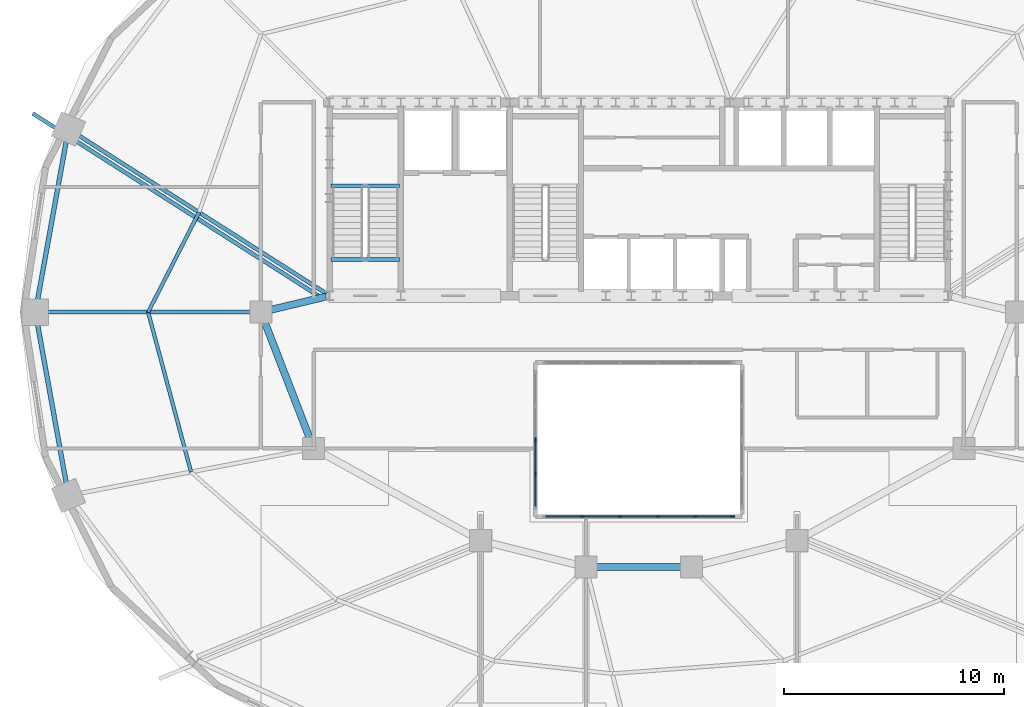
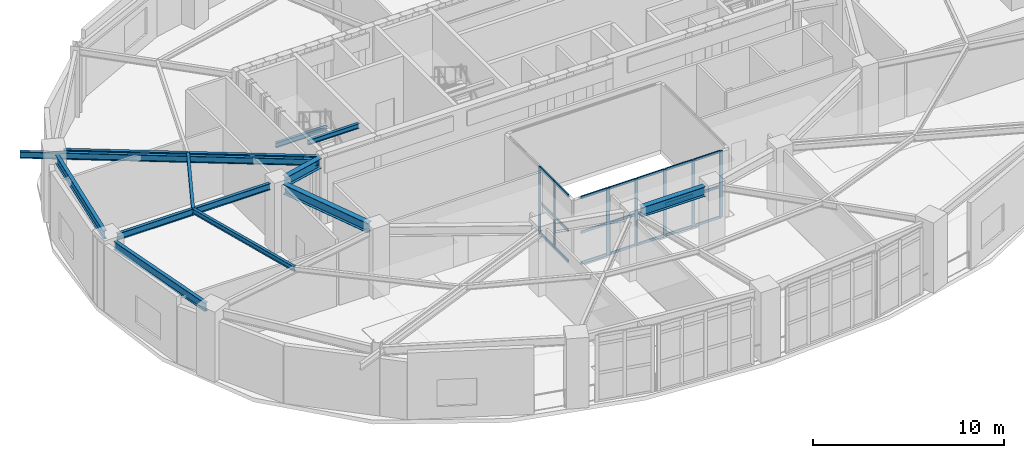
# One storey, part 4 of 13: 28 members, 12 beams, 2 elements without a shape of their own.
"""IFC4 building model written with IfcOpenShell, lengths in metres."""

import ifcopenshell
import ifcopenshell.guid

model = None  # the IFC model being written
_history = None  # IfcOwnerHistory: only IFC2X3 demands one
_inside = {}  # id of a spatial element -> (the spatial element, [elements in it])
_under = {}  # id of a project, library or spatial element -> (it, [spatial elements below it])
_declared = {}  # id of a project -> (the project, [libraries it declares])
_typed = {}  # id of a type object -> (the type object, [elements of that type])
_made_of = {}  # id of a material, layer set ... -> (it, [elements and type objects made of it])


def new_model(schema):
    """Start an empty IFC model of exactly this schema.

    Asked for "IFC4X3", IfcOpenShell would pick the latest addendum, in which some entities
    have other attributes; the version numbers below select the first issue.
    IFC2X3 requires an IfcOwnerHistory on every rooted entity: one is made here for all.
    """
    global model, _history
    if schema == "IFC4X3":
        model = ifcopenshell.file(schema_version=(4, 3, 0, 0))
    else:
        model = ifcopenshell.file(schema=schema)
    _inside.clear()
    _under.clear()
    _declared.clear()
    _typed.clear()
    _made_of.clear()
    _history = None
    if model.schema == "IFC2X3":
        org = make("IfcOrganization", Name="unknown")
        user = make(
            "IfcPersonAndOrganization",
            ThePerson=make("IfcPerson", FamilyName="unknown"),
            TheOrganization=org,
        )
        app = make(
            "IfcApplication",
            ApplicationDeveloper=org,
            Version="unknown",
            ApplicationFullName="unknown",
            ApplicationIdentifier="unknown",
        )
        _history = make(
            "IfcOwnerHistory",
            OwningUser=user,
            OwningApplication=app,
            ChangeAction="ADDED",
            CreationDate=0,
        )
    return model


def make(cls, **values):
    """One entity of the class cls with the attributes given. An attribute that is None is left unset."""
    return model.create_entity(
        cls, **{name: value for name, value in values.items() if value is not None}
    )


def rooted(cls, **values):
    """An entity with a GlobalId (a new one), such as an element, a storey or a relation."""
    return make(cls, GlobalId=ifcopenshell.guid.new(), OwnerHistory=_history, **values)


def si_unit(unit_type, name, prefix=None):
    """IfcSIUnit, for example si_unit("LENGTHUNIT", "METRE", prefix="MILLI")."""
    return make("IfcSIUnit", UnitType=unit_type, Prefix=prefix, Name=name)


def assignment(units):
    """IfcUnitAssignment: the units of a project."""
    return None if units is None else make("IfcUnitAssignment", Units=units)


def point(xyz):
    """IfcCartesianPoint."""
    return None if xyz is None else make("IfcCartesianPoint", Coordinates=xyz)


def direction(xyz):
    """IfcDirection."""
    return None if xyz is None else make("IfcDirection", DirectionRatios=xyz)


def frame(location, z_axis=None, x_axis=None):
    """IfcAxis2Placement3D, a coordinate frame: its origin and axes. An axis left out is left unset."""
    return make(
        "IfcAxis2Placement3D",
        Location=point(location),
        Axis=direction(z_axis),
        RefDirection=direction(x_axis),
    )


def frame_2d(location, x_axis=None):
    """IfcAxis2Placement2D, a coordinate frame in the plane: its origin and x axis."""
    return make(
        "IfcAxis2Placement2D", Location=point(location), RefDirection=direction(x_axis)
    )


def origin():
    """The frame at (0, 0, 0) with its axes left unset."""
    return frame((0.0, 0.0, 0.0))


def origin_2d():
    """The frame at (0, 0) in the plane with its x axis left unset."""
    return frame_2d((0.0, 0.0))


def place(relative_to, where):
    """IfcLocalPlacement: puts the frame where relative to a parent placement (None: the world)."""
    return make(
        "IfcLocalPlacement", PlacementRelTo=relative_to, RelativePlacement=where
    )


def context(
    kind, dimensions, precision=None, world=None, true_north=None, identifier=None
):
    """IfcGeometricRepresentationContext, for example the 3D "Model" context."""
    return make(
        "IfcGeometricRepresentationContext",
        ContextIdentifier=identifier,
        ContextType=kind,
        CoordinateSpaceDimension=dimensions,
        Precision=precision,
        WorldCoordinateSystem=world,
        TrueNorth=true_north,
    )


def subcontext(parent, identifier, kind, view, scale=None):
    """IfcGeometricRepresentationSubContext, for example "Body" below "Model"."""
    return make(
        "IfcGeometricRepresentationSubContext",
        ContextIdentifier=identifier,
        ContextType=kind,
        ParentContext=parent,
        TargetScale=scale,
        TargetView=view,
    )


def project(units=None, contexts=None):
    """IfcProject with its units and contexts."""
    return rooted(
        "IfcProject",
        Name="project",
        RepresentationContexts=contexts,
        UnitsInContext=assignment(units),
    )


def spatial(cls, under=None, at=None, **own):
    """A site, building, storey or space (cls), placed at a placement, below another one or the project."""
    s = rooted(cls, ObjectPlacement=at, **own)
    if under is not None:
        _under.setdefault(under.id(), (under, []))[1].append(s)
    return s


def profile(cls, at=None, kind="AREA", **sizes):
    """A parametric profile (cls). Its sizes go by their IFC names, for example OverallWidth=200.0."""
    return make(cls, ProfileType=kind, Position=at, **sizes)


def rectangle(**sizes):
    """IfcRectangleProfileDef."""
    return profile("IfcRectangleProfileDef", **sizes)


def i_section(**sizes):
    """IfcIShapeProfileDef."""
    return profile("IfcIShapeProfileDef", **sizes)


def extrude(swept, where, along, depth):
    """IfcExtrudedAreaSolid: the profile swept, set in the frame where, extruded along a direction by depth."""
    return make(
        "IfcExtrudedAreaSolid",
        SweptArea=swept,
        Position=where,
        ExtrudedDirection=direction(along),
        Depth=depth,
    )


def shape(context_of_items, identifier, shape_type, items):
    """IfcShapeRepresentation: the items that make up one representation, for example the "Body"."""
    return make(
        "IfcShapeRepresentation",
        ContextOfItems=context_of_items,
        RepresentationIdentifier=identifier,
        RepresentationType=shape_type,
        Items=items,
    )


def material(Name=None, Category=None):
    """IfcMaterial."""
    return make("IfcMaterial", Name=Name, Category=Category)


def material_profile(
    of_material, cross_section, Name=None, Category=None, Priority=None
):
    """IfcMaterialProfile: a cross section and its material."""
    return make(
        "IfcMaterialProfile",
        Name=Name,
        Material=of_material,
        Profile=cross_section,
        Priority=Priority,
        Category=Category,
    )


def profile_set(profiles, Name=None, composite=None):
    """IfcMaterialProfileSet."""
    return make(
        "IfcMaterialProfileSet",
        Name=Name,
        MaterialProfiles=profiles,
        CompositeProfile=composite,
    )


def made_of(thing, what):
    """Note that an element or type object is made of a material, layer set ...; save() writes the relation."""
    if what is not None:
        _made_of.setdefault(what.id(), (what, []))[1].append(thing)
    return thing


def type_object(cls, material=None, **own):
    """A type object (cls), such as IfcWallType, which elements share."""
    return made_of(rooted(cls, **own), material)


def element(
    cls,
    number,
    at=None,
    inside=None,
    cuts=None,
    type_object=None,
    material=None,
    context=None,
    identifier="Body",
    shape_type=None,
    held_by="IfcProductDefinitionShape",
    body=None,
    shapes=None,
    **own,
):
    """One element of the class cls, such as IfcWall. Its Tag is "e" and its number.

    at: its placement. inside: the storey or other place that contains it. cuts: it is an
    opening in that element (IfcRelVoidsElement). A single representation is given by context,
    identifier, shape_type and body (its items); several are given by shapes. held_by: the class
    of the entity that holds the representations. save() writes the other relations.
    """
    e = rooted(cls, Tag="e%d" % number, ObjectPlacement=at, **own)
    if body is not None:
        shapes = [shape(context, identifier, shape_type, body)]
    if shapes is not None:
        e.Representation = make(held_by, Representations=shapes)
    if inside is not None:
        _inside.setdefault(inside.id(), (inside, []))[1].append(e)
    if cuts is not None:
        rooted(
            "IfcRelVoidsElement", RelatingBuildingElement=cuts, RelatedOpeningElement=e
        )
    if type_object is not None:
        _typed.setdefault(type_object.id(), (type_object, []))[1].append(e)
    return made_of(e, material)


def aggregate(whole, parts):
    """IfcRelAggregates: a whole, such as a stair, and the parts it consists of."""
    return rooted("IfcRelAggregates", RelatingObject=whole, RelatedObjects=parts)


def save(model, path):
    """Write the relations noted so far, then the file.

    IfcRelAggregates (storeys below a building ...), IfcRelContainedInSpatialStructure (elements
    in a storey), IfcRelDefinesByType, IfcRelAssociatesMaterial and IfcRelDeclares: one each for
    every whole, place, type object, material and project.
    """
    for whole, parts in _under.values():
        aggregate(whole, parts)
    for where, things in _inside.values():
        rooted(
            "IfcRelContainedInSpatialStructure",
            RelatedElements=things,
            RelatingStructure=where,
        )
    for kind, things in _typed.values():
        rooted("IfcRelDefinesByType", RelatedObjects=things, RelatingType=kind)
    for what, things in _made_of.values():
        rooted("IfcRelAssociatesMaterial", RelatedObjects=things, RelatingMaterial=what)
    for by, libraries in _declared.values():
        rooted("IfcRelDeclares", RelatingContext=by, RelatedDefinitions=libraries)
    model.write(path)


model = new_model("IFC4")

# Units and contexts
model_context = context("Model", 3, precision=1e-05, world=origin(), true_north=direction((0.0, 1.0)))
body_context = subcontext(model_context, "Body", "Model", "MODEL_VIEW")
ifc_project = project(units=[si_unit("LENGTHUNIT", "METRE"), si_unit("AREAUNIT", "SQUARE_METRE"), si_unit("VOLUMEUNIT", "CUBIC_METRE"), si_unit("PLANEANGLEUNIT", "RADIAN"), si_unit("MASSUNIT", "GRAM", prefix="KILO")], contexts=[model_context])

# Site, building, storey
site_placement = place(None, origin())
site = spatial("IfcSite", under=ifc_project, at=site_placement, CompositionType="ELEMENT")
building_placement = place(site_placement, origin())
building = spatial("IfcBuilding", under=site, at=building_placement, Name="Haldorwick Loom Tower", CompositionType="ELEMENT")
storey_placement = place(building_placement, frame((0.0, 0.0, 188.949951171875)))
storey = spatial("IfcBuildingStorey", under=building, at=storey_placement, Name="L51", CompositionType="ELEMENT", Elevation=188.949951171875)

# Curtain wall, members
ifc_material_1 = material(Name="Thermally Broken Anodized Aluminium Curtain Wall Framing", Category="aluminium")
curtain_wall_type = type_object("IfcCurtainWallType", Name="ARC-CW-03", PredefinedType="NOTDEFINED", material=ifc_material_1)
curtain_wall_1_placement = place(storey_placement, origin())
curtain_wall_1 = element("IfcCurtainWall", 1, at=curtain_wall_1_placement, inside=storey, type_object=curtain_wall_type, Name="L51 Atrium Glazed Screen S", PredefinedType="NOTDEFINED")
ifc_material_profile_1 = material_profile(ifc_material_1, rectangle(XDim=0.06591796875, YDim=0.18505859375, at=origin_2d()), Name="ALU_MUL_66X185", Category="aluminium")
ifc_profile_set_1 = profile_set([ifc_material_profile_1], Name="Thermally Broken Anodized Aluminium Curtain Wall Framing")
member_type_1 = type_object("IfcMemberType", Name="ARC-CWM-03", PredefinedType="MULLION", material=ifc_profile_set_1)
member_1_placement = place(storey_placement, frame((40.26708984375, 16.699951171875, 0.0), z_axis=(0.0, 0.0, 1.0), x_axis=(0.0, -1.0, 0.0)))
member_1 = element("IfcMember", 2, at=member_1_placement, type_object=member_type_1, Name="CW-03 mullion 1", PredefinedType="MULLION", context=body_context, shape_type="SweptSolid", body=[
    extrude(rectangle(XDim=0.06591796875, YDim=0.18505859375, at=origin_2d()), origin(), (0.0, 0.0, 1.0), 4.260009765625),
])
member_2_placement = place(storey_placement, frame((38.580078125, 16.699951171875, 0.0), z_axis=(0.0, 0.0, 1.0), x_axis=(0.0, -1.0, 0.0)))
member_2 = element("IfcMember", 3, at=member_2_placement, type_object=member_type_1, Name="CW-03 mullion 2", PredefinedType="MULLION", context=body_context, shape_type="SweptSolid", body=[
    extrude(rectangle(XDim=0.06591796875, YDim=0.18505859375, at=origin_2d()), origin(), (0.0, 0.0, 1.0), 4.260009765625),
])
member_3_placement = place(storey_placement, frame((36.860107421875, 16.699951171875, 0.0), z_axis=(0.0, 0.0, 1.0), x_axis=(0.0, -1.0, 0.0)))
member_3 = element("IfcMember", 4, at=member_3_placement, type_object=member_type_1, Name="CW-03 mullion 3", PredefinedType="MULLION", context=body_context, shape_type="SweptSolid", body=[
    extrude(rectangle(XDim=0.06591796875, YDim=0.18505859375, at=origin_2d()), origin(), (0.0, 0.0, 1.0), 4.260009765625),
])
member_4_placement = place(storey_placement, frame((35.139892578125, 16.699951171875, 0.0), z_axis=(0.0, 0.0, 1.0), x_axis=(0.0, -1.0, 0.0)))
member_4 = element("IfcMember", 5, at=member_4_placement, type_object=member_type_1, Name="CW-03 mullion 4", PredefinedType="MULLION", context=body_context, shape_type="SweptSolid", body=[
    extrude(rectangle(XDim=0.06591796875, YDim=0.18505859375, at=origin_2d()), origin(), (0.0, 0.0, 1.0), 4.260009765625),
])
member_5_placement = place(storey_placement, frame((33.419921875, 16.699951171875, 0.0), z_axis=(0.0, 0.0, 1.0), x_axis=(0.0, -1.0, 0.0)))
member_5 = element("IfcMember", 6, at=member_5_placement, type_object=member_type_1, Name="CW-03 mullion 5", PredefinedType="MULLION", context=body_context, shape_type="SweptSolid", body=[
    extrude(rectangle(XDim=0.06591796875, YDim=0.18505859375, at=origin_2d()), origin(), (0.0, 0.0, 1.0), 4.260009765625),
])

curtain_wall_2_placement = place(storey_placement, origin())
curtain_wall_2 = element("IfcCurtainWall", 7, at=curtain_wall_2_placement, inside=storey, type_object=curtain_wall_type, Name="L51 Atrium Glazed Screen W", PredefinedType="NOTDEFINED")
member_6_placement = place(storey_placement, frame((31.300048828125, 18.64990234375, 0.0), z_axis=(0.0, 0.0, 1.0), x_axis=(-1.0, 0.0, 0.0)))
member_6 = element("IfcMember", 8, at=member_6_placement, type_object=member_type_1, Name="CW-03 mullion 2", PredefinedType="MULLION", context=body_context, shape_type="SweptSolid", body=[
    extrude(rectangle(XDim=0.06591796875, YDim=0.18505859375, at=origin_2d()), origin(), (0.0, 0.0, 1.0), 4.260009765625),
])
member_7_placement = place(storey_placement, frame((31.300048828125, 20.199951171875, 0.0), z_axis=(0.0, 0.0, 1.0), x_axis=(-1.0, 0.0, 0.0)))
member_7 = element("IfcMember", 9, at=member_7_placement, type_object=member_type_1, Name="CW-03 mullion 3", PredefinedType="MULLION", context=body_context, shape_type="SweptSolid", body=[
    extrude(rectangle(XDim=0.06591796875, YDim=0.18505859375, at=origin_2d()), origin(), (0.0, 0.0, 1.0), 4.260009765625),
])

# Member
ifc_material_profile_2 = material_profile(ifc_material_1, rectangle(XDim=0.06591796875, YDim=0.1650390625, at=origin_2d()), Name="ALU_TRN_66X165", Category="aluminium")
ifc_profile_set_2 = profile_set([ifc_material_profile_2], Name="Thermally Broken Anodized Aluminium Curtain Wall Framing")
member_type_2 = type_object("IfcMemberType", Name="ARC-CWT-03", PredefinedType="USERDEFINED", material=ifc_profile_set_2)
member_8_placement = place(storey_placement, frame((40.23388671875, 16.699951171875, 0.032958984375), z_axis=(-1.0, 0.0, 0.0), x_axis=(0.0, -1.0, 0.0)))
member_8 = element("IfcMember", 10, at=member_8_placement, type_object=member_type_2, Name="CW-03 transom 1.1", ObjectType="TRANSOM", PredefinedType="USERDEFINED", context=body_context, shape_type="SweptSolid", body=[
    extrude(rectangle(XDim=0.06591796875, YDim=0.1650390625, at=origin_2d()), origin(), (0.0, 0.0, 1.0), 1.620849609375),
])

member_9_placement = place(storey_placement, frame((40.23388671875, 16.699951171875, 2.0), z_axis=(-1.0, 0.0, 0.0), x_axis=(0.0, -1.0, 0.0)))
member_9 = element("IfcMember", 11, at=member_9_placement, type_object=member_type_2, Name="CW-03 transom 1.2", ObjectType="TRANSOM", PredefinedType="USERDEFINED", context=body_context, shape_type="SweptSolid", body=[
    extrude(rectangle(XDim=0.06591796875, YDim=0.1650390625, at=origin_2d()), origin(), (0.0, 0.0, 1.0), 1.620849609375),
])

member_10_placement = place(storey_placement, frame((40.23388671875, 16.699951171875, 4.22705078125), z_axis=(-1.0, 0.0, 0.0), x_axis=(0.0, -1.0, 0.0)))
member_10 = element("IfcMember", 12, at=member_10_placement, type_object=member_type_2, Name="CW-03 transom 1.3", ObjectType="TRANSOM", PredefinedType="USERDEFINED", context=body_context, shape_type="SweptSolid", body=[
    extrude(rectangle(XDim=0.06591796875, YDim=0.1650390625, at=origin_2d()), origin(), (0.0, 0.0, 1.0), 1.620849609375),
])

member_11_placement = place(storey_placement, frame((38.547119140625, 16.699951171875, 0.032958984375), z_axis=(-1.0, 0.0, 0.0), x_axis=(0.0, -1.0, 0.0)))
member_11 = element("IfcMember", 13, at=member_11_placement, type_object=member_type_2, Name="CW-03 transom 2.1", ObjectType="TRANSOM", PredefinedType="USERDEFINED", context=body_context, shape_type="SweptSolid", body=[
    extrude(rectangle(XDim=0.06591796875, YDim=0.1650390625, at=origin_2d()), origin(), (0.0, 0.0, 1.0), 1.654052734375),
])

member_12_placement = place(storey_placement, frame((38.547119140625, 16.699951171875, 2.0), z_axis=(-1.0, 0.0, 0.0), x_axis=(0.0, -1.0, 0.0)))
member_12 = element("IfcMember", 14, at=member_12_placement, type_object=member_type_2, Name="CW-03 transom 2.2", ObjectType="TRANSOM", PredefinedType="USERDEFINED", context=body_context, shape_type="SweptSolid", body=[
    extrude(rectangle(XDim=0.06591796875, YDim=0.1650390625, at=origin_2d()), origin(), (0.0, 0.0, 1.0), 1.654052734375),
])

member_13_placement = place(storey_placement, frame((38.547119140625, 16.699951171875, 4.22705078125), z_axis=(-1.0, 0.0, 0.0), x_axis=(0.0, -1.0, 0.0)))
member_13 = element("IfcMember", 15, at=member_13_placement, type_object=member_type_2, Name="CW-03 transom 2.3", ObjectType="TRANSOM", PredefinedType="USERDEFINED", context=body_context, shape_type="SweptSolid", body=[
    extrude(rectangle(XDim=0.06591796875, YDim=0.1650390625, at=origin_2d()), origin(), (0.0, 0.0, 1.0), 1.654052734375),
])

member_14_placement = place(storey_placement, frame((36.826904296875, 16.699951171875, 0.032958984375), z_axis=(-1.0, 0.0, 0.0), x_axis=(0.0, -1.0, 0.0)))
member_14 = element("IfcMember", 16, at=member_14_placement, type_object=member_type_2, Name="CW-03 transom 3.1", ObjectType="TRANSOM", PredefinedType="USERDEFINED", context=body_context, shape_type="SweptSolid", body=[
    extrude(rectangle(XDim=0.06591796875, YDim=0.1650390625, at=origin_2d()), origin(), (0.0, 0.0, 1.0), 1.65380859375),
])

member_15_placement = place(storey_placement, frame((36.826904296875, 16.699951171875, 2.0), z_axis=(-1.0, 0.0, 0.0), x_axis=(0.0, -1.0, 0.0)))
member_15 = element("IfcMember", 17, at=member_15_placement, type_object=member_type_2, Name="CW-03 transom 3.2", ObjectType="TRANSOM", PredefinedType="USERDEFINED", context=body_context, shape_type="SweptSolid", body=[
    extrude(rectangle(XDim=0.06591796875, YDim=0.1650390625, at=origin_2d()), origin(), (0.0, 0.0, 1.0), 1.65380859375),
])

member_16_placement = place(storey_placement, frame((36.826904296875, 16.699951171875, 4.22705078125), z_axis=(-1.0, 0.0, 0.0), x_axis=(0.0, -1.0, 0.0)))
member_16 = element("IfcMember", 18, at=member_16_placement, type_object=member_type_2, Name="CW-03 transom 3.3", ObjectType="TRANSOM", PredefinedType="USERDEFINED", context=body_context, shape_type="SweptSolid", body=[
    extrude(rectangle(XDim=0.06591796875, YDim=0.1650390625, at=origin_2d()), origin(), (0.0, 0.0, 1.0), 1.65380859375),
])

member_17_placement = place(storey_placement, frame((35.10693359375, 16.699951171875, 0.032958984375), z_axis=(-1.0, 0.0, 0.0), x_axis=(0.0, -1.0, 0.0)))
member_17 = element("IfcMember", 19, at=member_17_placement, type_object=member_type_2, Name="CW-03 transom 4.1", ObjectType="TRANSOM", PredefinedType="USERDEFINED", context=body_context, shape_type="SweptSolid", body=[
    extrude(rectangle(XDim=0.06591796875, YDim=0.1650390625, at=origin_2d()), origin(), (0.0, 0.0, 1.0), 1.654052734375),
])

member_18_placement = place(storey_placement, frame((35.10693359375, 16.699951171875, 2.0), z_axis=(-1.0, 0.0, 0.0), x_axis=(0.0, -1.0, 0.0)))
member_18 = element("IfcMember", 20, at=member_18_placement, type_object=member_type_2, Name="CW-03 transom 4.2", ObjectType="TRANSOM", PredefinedType="USERDEFINED", context=body_context, shape_type="SweptSolid", body=[
    extrude(rectangle(XDim=0.06591796875, YDim=0.1650390625, at=origin_2d()), origin(), (0.0, 0.0, 1.0), 1.654052734375),
])

member_19_placement = place(storey_placement, frame((35.10693359375, 16.699951171875, 4.22705078125), z_axis=(-1.0, 0.0, 0.0), x_axis=(0.0, -1.0, 0.0)))
member_19 = element("IfcMember", 21, at=member_19_placement, type_object=member_type_2, Name="CW-03 transom 4.3", ObjectType="TRANSOM", PredefinedType="USERDEFINED", context=body_context, shape_type="SweptSolid", body=[
    extrude(rectangle(XDim=0.06591796875, YDim=0.1650390625, at=origin_2d()), origin(), (0.0, 0.0, 1.0), 1.654052734375),
])

member_20_placement = place(storey_placement, frame((33.386962890625, 16.699951171875, 0.032958984375), z_axis=(-1.0, 0.0, 0.0), x_axis=(0.0, -1.0, 0.0)))
member_20 = element("IfcMember", 22, at=member_20_placement, type_object=member_type_2, Name="CW-03 transom 5.1", ObjectType="TRANSOM", PredefinedType="USERDEFINED", context=body_context, shape_type="SweptSolid", body=[
    extrude(rectangle(XDim=0.06591796875, YDim=0.1650390625, at=origin_2d()), origin(), (0.0, 0.0, 1.0), 1.620849609375),
])

member_21_placement = place(storey_placement, frame((33.386962890625, 16.699951171875, 2.0), z_axis=(-1.0, 0.0, 0.0), x_axis=(0.0, -1.0, 0.0)))
member_21 = element("IfcMember", 23, at=member_21_placement, type_object=member_type_2, Name="CW-03 transom 5.2", ObjectType="TRANSOM", PredefinedType="USERDEFINED", context=body_context, shape_type="SweptSolid", body=[
    extrude(rectangle(XDim=0.06591796875, YDim=0.1650390625, at=origin_2d()), origin(), (0.0, 0.0, 1.0), 1.620849609375),
])

member_22_placement = place(storey_placement, frame((33.386962890625, 16.699951171875, 4.22705078125), z_axis=(-1.0, 0.0, 0.0), x_axis=(0.0, -1.0, 0.0)))
member_22 = element("IfcMember", 24, at=member_22_placement, type_object=member_type_2, Name="CW-03 transom 5.3", ObjectType="TRANSOM", PredefinedType="USERDEFINED", context=body_context, shape_type="SweptSolid", body=[
    extrude(rectangle(XDim=0.06591796875, YDim=0.1650390625, at=origin_2d()), origin(), (0.0, 0.0, 1.0), 1.620849609375),
])

aggregate(curtain_wall_1, [member_1, member_2, member_3, member_4, member_5, member_8, member_9, member_10, member_11, member_12, member_13, member_14, member_15, member_16, member_17, member_18, member_19, member_20, member_21, member_22])

member_23_placement = place(storey_placement, frame((31.300048828125, 17.166015625, 0.032958984375), z_axis=(0.0, 1.0, 0.0), x_axis=(-1.0, 0.0, 0.0)))
member_23 = element("IfcMember", 25, at=member_23_placement, type_object=member_type_2, Name="CW-03 transom 1.1", ObjectType="TRANSOM", PredefinedType="USERDEFINED", context=body_context, shape_type="SweptSolid", body=[
    extrude(rectangle(XDim=0.06591796875, YDim=0.1650390625, at=origin_2d()), origin(), (0.0, 0.0, 1.0), 1.450927734375),
])

member_24_placement = place(storey_placement, frame((31.300048828125, 17.166015625, 2.0), z_axis=(0.0, 1.0, 0.0), x_axis=(-1.0, 0.0, 0.0)))
member_24 = element("IfcMember", 26, at=member_24_placement, type_object=member_type_2, Name="CW-03 transom 1.2", ObjectType="TRANSOM", PredefinedType="USERDEFINED", context=body_context, shape_type="SweptSolid", body=[
    extrude(rectangle(XDim=0.06591796875, YDim=0.1650390625, at=origin_2d()), origin(), (0.0, 0.0, 1.0), 1.450927734375),
])

member_25_placement = place(storey_placement, frame((31.300048828125, 17.166015625, 4.22705078125), z_axis=(0.0, 1.0, 0.0), x_axis=(-1.0, 0.0, 0.0)))
member_25 = element("IfcMember", 27, at=member_25_placement, type_object=member_type_2, Name="CW-03 transom 1.3", ObjectType="TRANSOM", PredefinedType="USERDEFINED", context=body_context, shape_type="SweptSolid", body=[
    extrude(rectangle(XDim=0.06591796875, YDim=0.1650390625, at=origin_2d()), origin(), (0.0, 0.0, 1.0), 1.450927734375),
])

member_26_placement = place(storey_placement, frame((31.300048828125, 18.68310546875, 0.032958984375), z_axis=(0.0, 1.0, 0.0), x_axis=(-1.0, 0.0, 0.0)))
member_26 = element("IfcMember", 28, at=member_26_placement, type_object=member_type_2, Name="CW-03 transom 2.1", ObjectType="TRANSOM", PredefinedType="USERDEFINED", context=body_context, shape_type="SweptSolid", body=[
    extrude(rectangle(XDim=0.06591796875, YDim=0.1650390625, at=origin_2d()), origin(), (0.0, 0.0, 1.0), 1.48388671875),
])

member_27_placement = place(storey_placement, frame((31.300048828125, 18.68310546875, 2.0), z_axis=(0.0, 1.0, 0.0), x_axis=(-1.0, 0.0, 0.0)))
member_27 = element("IfcMember", 29, at=member_27_placement, type_object=member_type_2, Name="CW-03 transom 2.2", ObjectType="TRANSOM", PredefinedType="USERDEFINED", context=body_context, shape_type="SweptSolid", body=[
    extrude(rectangle(XDim=0.06591796875, YDim=0.1650390625, at=origin_2d()), origin(), (0.0, 0.0, 1.0), 1.48388671875),
])

member_28_placement = place(storey_placement, frame((31.300048828125, 18.68310546875, 4.22705078125), z_axis=(0.0, 1.0, 0.0), x_axis=(-1.0, 0.0, 0.0)))
member_28 = element("IfcMember", 30, at=member_28_placement, type_object=member_type_2, Name="CW-03 transom 2.3", ObjectType="TRANSOM", PredefinedType="USERDEFINED", context=body_context, shape_type="SweptSolid", body=[
    extrude(rectangle(XDim=0.06591796875, YDim=0.1650390625, at=origin_2d()), origin(), (0.0, 0.0, 1.0), 1.48388671875),
])

aggregate(curtain_wall_2, [member_6, member_7, member_23, member_24, member_25, member_26, member_27, member_28])

# Beams
ifc_material_2 = material(Name="Steel CSA G40.21 350W", Category="steel")
ifc_material_profile_3 = material_profile(ifc_material_2, i_section(OverallWidth=0.179931640625, OverallDepth=0.4130859375, WebThickness=0.009765625, FlangeThickness=0.01611328125, at=origin_2d()), Name="W410X74", Category="steel")
ifc_profile_set_3 = profile_set([ifc_material_profile_3], Name="Steel CSA G40.21 350W")
beam_type_1 = type_object("IfcBeamType", Name="STR-BM-BAL410", PredefinedType="BEAM", material=ifc_profile_set_3)
beam_1_placement = place(storey_placement, frame((21.62939453125, 26.60986328125, 4.053466796875), z_axis=(-0.842844376394, 0.538157372133, 0.0), x_axis=(-0.538157372133, -0.842844376394, 0.0)))
element("IfcBeam", 31, at=beam_1_placement, inside=storey, type_object=beam_type_1, Name="L51 Continuous Back-Spanned Balcony Beam 3", PredefinedType="BEAM", context=body_context, shape_type="SweptSolid", body=[
    extrude(i_section(OverallWidth=0.179931640625, OverallDepth=0.4130859375, WebThickness=0.009765625, FlangeThickness=0.01611328125, at=origin_2d()), origin(), (0.0, 0.0, 1.0), 15.680419921875),
])
ifc_material_profile_4 = material_profile(ifc_material_2, i_section(OverallWidth=0.166015625, OverallDepth=0.31298828125, WebThickness=0.006591796875, FlangeThickness=0.01123046875, at=origin_2d()), Name="W310X45", Category="steel")
ifc_profile_set_4 = profile_set([ifc_material_profile_4], Name="Steel CSA G40.21 350W")
beam_type_2 = type_object("IfcBeamType", Name="STR-BM-J310", PredefinedType="JOIST", material=ifc_profile_set_4)
beam_2_placement = place(storey_placement, frame((15.984619140625, 30.54638671875, 4.103515625), z_axis=(-0.454203827517, -0.890897796085, 0.0), x_axis=(0.890897796085, -0.454203827517, 0.0)))
element("IfcBeam", 32, at=beam_2_placement, inside=storey, type_object=beam_type_2, Name="L51 Mid-Bay Secondary Joist 8", PredefinedType="JOIST", context=body_context, shape_type="SweptSolid", body=[
    extrude(i_section(OverallWidth=0.166015625, OverallDepth=0.31298828125, WebThickness=0.006591796875, FlangeThickness=0.01123046875, at=origin_2d()), origin(), (0.0, 0.0, 1.0), 5.103271484375),
])
beam_3_placement = place(storey_placement, frame((13.666748046875, 26.0, 4.103515625), z_axis=(0.259353588718, -0.965782437208, 0.0), x_axis=(0.965782437208, 0.259353588718, 0.0)))
element("IfcBeam", 33, at=beam_3_placement, inside=storey, type_object=beam_type_2, Name="L51 Mid-Bay Secondary Joist 9", PredefinedType="JOIST", context=body_context, shape_type="SweptSolid", body=[
    extrude(i_section(OverallWidth=0.166015625, OverallDepth=0.31298828125, WebThickness=0.006591796875, FlangeThickness=0.01123046875, at=origin_2d()), origin(), (0.0, 0.0, 1.0), 7.52880859375),
])
ifc_material_profile_5 = material_profile(ifc_material_2, i_section(OverallWidth=0.179931640625, OverallDepth=0.4130859375, WebThickness=0.009765625, FlangeThickness=0.01611328125, at=origin_2d()), Name="W410X74", Category="steel")
ifc_profile_set_5 = profile_set([ifc_material_profile_5], Name="Steel CSA G40.21 350W")
beam_type_3 = type_object("IfcBeamType", Name="STR-BM-J410", PredefinedType="JOIST", material=ifc_profile_set_5)
beam_4_placement = place(storey_placement, frame((21.780029296875, 26.845703125, 4.053466796875), z_axis=(-0.842836647066, 0.538169477361, 0.0), x_axis=(-0.538169477361, -0.842836647066, 0.0)))
element("IfcBeam", 34, at=beam_4_placement, inside=storey, type_object=beam_type_3, Name="L51 Radial Floor Girder 8", PredefinedType="JOIST", context=body_context, shape_type="SweptSolid", body=[
    extrude(i_section(OverallWidth=0.179931640625, OverallDepth=0.4130859375, WebThickness=0.009765625, FlangeThickness=0.01611328125, at=origin_2d()), origin(), (0.0, 0.0, 1.0), 13.410400390625),
])
beam_5_placement = place(storey_placement, frame((18.324951171875, 26.0, 4.053466796875), z_axis=(-1.0, 0.0, 0.0), x_axis=(0.0, -1.0, 0.0)))
element("IfcBeam", 35, at=beam_5_placement, inside=storey, type_object=beam_type_3, Name="L51 Radial Floor Girder 9", PredefinedType="JOIST", context=body_context, shape_type="SweptSolid", body=[
    extrude(i_section(OverallWidth=0.179931640625, OverallDepth=0.4130859375, WebThickness=0.009765625, FlangeThickness=0.01611328125, at=origin_2d()), origin(), (0.0, 0.0, 1.0), 9.271240234375),
])
ifc_material_profile_6 = material_profile(ifc_material_2, i_section(OverallWidth=0.2119140625, OverallDepth=0.5439453125, WebThickness=0.01318359375, FlangeThickness=0.021240234375, at=origin_2d()), Name="W530X123", Category="steel")
ifc_profile_set_6 = profile_set([ifc_material_profile_6], Name="Steel CSA G40.21 350W")
beam_type_4 = type_object("IfcBeamType", Name="STR-BM-SP530", PredefinedType="SPANDREL", material=ifc_profile_set_6)
for number, where, z_axis, x_axis, name in (
    (36, (9.94677734375, 33.830810546875, 3.988037109375), (-0.1775911332, -0.984104359003, 0.0), (0.984104359003, -0.1775911332, 0.0), "L51 Perimeter Spandrel 8"),
    (37, (8.6259765625, 25.48828125, 3.988037109375), (0.1775911332, -0.984104359003, 0.0), (0.984104359003, 0.1775911332, 0.0), "L51 Perimeter Spandrel 9"),
):
    element("IfcBeam", number, at=place(storey_placement, frame(where, z_axis=z_axis, x_axis=x_axis)), inside=storey, type_object=beam_type_4, Name=name, PredefinedType="SPANDREL", context=body_context, shape_type="SweptSolid", body=[
        extrude(i_section(OverallWidth=0.2119140625, OverallDepth=0.5439453125, WebThickness=0.01318359375, FlangeThickness=0.021240234375, at=origin_2d()), origin(), (0.0, 0.0, 1.0), 7.437255859375),
    ])
ifc_material_profile_7 = material_profile(ifc_material_2, i_section(OverallWidth=0.166015625, OverallDepth=0.31298828125, WebThickness=0.006591796875, FlangeThickness=0.01123046875, at=origin_2d()), Name="W310X45", Category="steel")
ifc_profile_set_7 = profile_set([ifc_material_profile_7], Name="Steel CSA G40.21 350W")
beam_type_5 = type_object("IfcBeamType", Name="STR-BM-STRM", PredefinedType="BEAM", material=ifc_profile_set_7)
for number, where, z_axis, x_axis, name in (
    (38, (21.989990234375, 28.39990234375, 4.103515625), (1.0, 0.0, 0.0), (0.0, 1.0, 0.0), "L51 Stair ST-01 Landing Edge Trimmer"),
    (39, (21.989990234375, 31.760009765625, 1.8935546875), (1.0, 0.0, 0.0), (0.0, 1.0, 0.0), "L51 Stair ST-01 Half-Landing Trimmer 1"),
):
    element("IfcBeam", number, at=place(storey_placement, frame(where, z_axis=z_axis, x_axis=x_axis)), inside=storey, type_object=beam_type_5, Name=name, PredefinedType="BEAM", context=body_context, shape_type="SweptSolid", body=[
        extrude(i_section(OverallWidth=0.166015625, OverallDepth=0.31298828125, WebThickness=0.006591796875, FlangeThickness=0.01123046875, at=origin_2d()), origin(), (0.0, 0.0, 1.0), 3.1201171875),
    ])
ifc_material_profile_8 = material_profile(ifc_material_2, i_section(OverallWidth=0.324951171875, OverallDepth=0.615966796875, WebThickness=0.013916015625, FlangeThickness=0.021484375, at=origin_2d()), Name="W610X174", Category="steel")
ifc_profile_set_8 = profile_set([ifc_material_profile_8], Name="Steel CSA G40.21 350W")
beam_type_6 = type_object("IfcBeamType", Name="STR-BM-W610A", PredefinedType="BEAM", material=ifc_profile_set_8)
beam_6_placement = place(storey_placement, frame((37.925048828125, 14.39990234375, 3.9521484375), z_axis=(-1.0, 0.0, 0.0), x_axis=(0.0, -1.0, 0.0)))
element("IfcBeam", 40, at=beam_6_placement, inside=storey, type_object=beam_type_6, Name="L51 Inner Ring Girder 5", PredefinedType="BEAM", context=body_context, shape_type="SweptSolid", body=[
    extrude(i_section(OverallWidth=0.324951171875, OverallDepth=0.615966796875, WebThickness=0.013916015625, FlangeThickness=0.021484375, at=origin_2d()), origin(), (0.0, 0.0, 1.0), 3.85009765625),
])
beam_7_placement = place(storey_placement, frame((21.028564453125, 20.242919921875, 3.9521484375), z_axis=(-0.36101093026, 0.93256158415, 0.0), x_axis=(-0.93256158415, -0.36101093026, 0.0)))
element("IfcBeam", 41, at=beam_7_placement, inside=storey, type_object=beam_type_6, Name="L51 Inner Ring Girder 8", PredefinedType="BEAM", context=body_context, shape_type="SweptSolid", body=[
    extrude(i_section(OverallWidth=0.324951171875, OverallDepth=0.615966796875, WebThickness=0.013916015625, FlangeThickness=0.021484375, at=origin_2d()), origin(), (0.0, 0.0, 1.0), 5.6982421875),
])
beam_8_placement = place(storey_placement, frame((19.261962890625, 26.110595703125, 3.9521484375), z_axis=(0.972464127734, 0.233052612665, 0.0), x_axis=(-0.233052612665, 0.972464127734, 0.0)))
element("IfcBeam", 42, at=beam_8_placement, inside=storey, type_object=beam_type_6, Name="L51 Inner Ring Girder 9", PredefinedType="BEAM", context=body_context, shape_type="SweptSolid", body=[
    extrude(i_section(OverallWidth=0.324951171875, OverallDepth=0.615966796875, WebThickness=0.013916015625, FlangeThickness=0.021484375, at=origin_2d()), origin(), (0.0, 0.0, 1.0), 2.5654296875),
])

save(model, "model.ifc")
